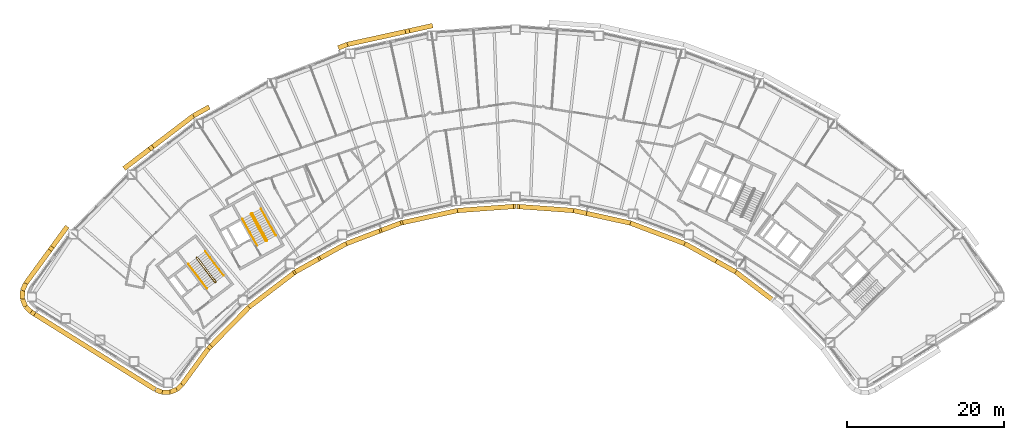
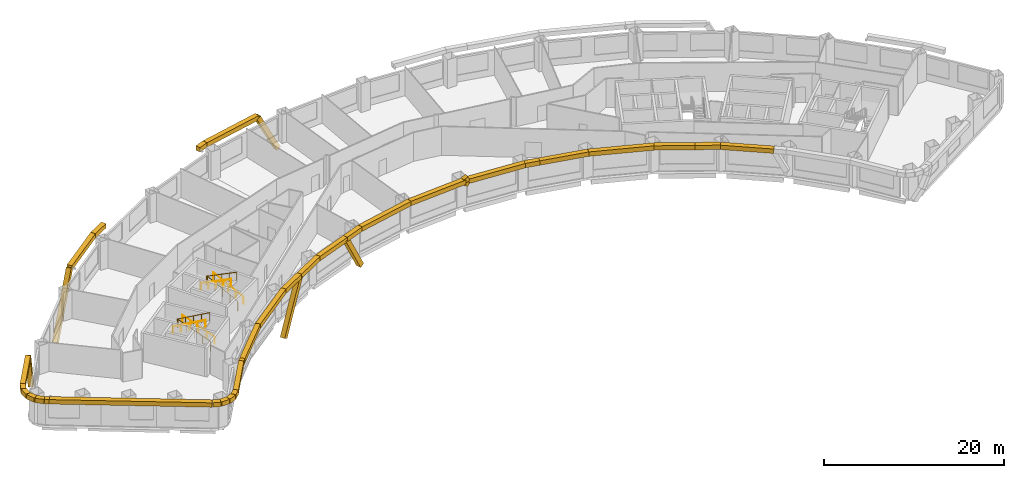
# One storey, part 13 of 15: 39 coverings, 6 railings.
"""IFC4 building model written with IfcOpenShell, lengths in metres."""

from ifc_helpers import new_model, si_unit, direction, frame, origin, origin_2d, place, context, subcontext, project, spatial, rectangle, circle, extrude, material, material_profile, profile_set, type_object, element, save


model = new_model("IFC4")

# Units and contexts
model_context = context("Model", 3, precision=1e-05, world=origin(), true_north=direction((0.0, 1.0)))
body_context = subcontext(model_context, "Body", "Model", "MODEL_VIEW")
ifc_project = project(units=[si_unit("LENGTHUNIT", "METRE"), si_unit("AREAUNIT", "SQUARE_METRE"), si_unit("VOLUMEUNIT", "CUBIC_METRE"), si_unit("PLANEANGLEUNIT", "RADIAN"), si_unit("MASSUNIT", "GRAM", prefix="KILO")], contexts=[model_context])

# Site, building, storey
site_placement = place(None, origin())
site = spatial("IfcSite", under=ifc_project, at=site_placement, CompositionType="ELEMENT")
building_placement = place(site_placement, origin())
building = spatial("IfcBuilding", under=site, at=building_placement, Name="Tuul Gate Civic Tower", CompositionType="ELEMENT")
storey_placement = place(building_placement, frame((0.0, 0.0, 78.0)))
storey = spatial("IfcBuildingStorey", under=building, at=storey_placement, Name="Level 17", CompositionType="ELEMENT", Elevation=78.0)

# Railings
ifc_material_1 = material(Name="Painted steel", Category="steel")
railing_type_1 = type_object("IfcRailingType", Name="Stair guard", PredefinedType="GUARDRAIL", material=ifc_material_1)
railing_1_placement = place(storey_placement, frame((-33.382080078125, -13.515380859375, 0.0)))
element("IfcRailing", 1, at=railing_1_placement, inside=storey, type_object=railing_type_1, Name="Level 17 ST-1 stair guard 1", PredefinedType="GUARDRAIL", context=body_context, shape_type="SweptSolid", body=[
    extrude(circle(Radius=0.02392578125, at=origin_2d()), frame((0.0, 0.0, 1.076171875), z_axis=(-0.795879841968, -0.605454603706, 0.0), x_axis=(0.605454603706, -0.795879841968, 0.0)), (0.0, 0.0, 1.0), 0.10009765625),
    extrude(circle(Radius=0.02392578125, at=origin_2d()), frame((-0.07958984375, -0.060546875, 1.076171875), z_axis=(0.408991890351, 0.599481263939, 0.688002796371), x_axis=(-0.826063974707, 0.563576356576, 0.0)), (0.0, 0.0, 1.0), 0.2177734375),
    extrude(circle(Radius=0.02392578125, at=origin_2d()), frame((0.009521484375, 0.070068359375, 1.22607421875), z_axis=(-0.541810893183, 0.711627203922, 0.44724454012), x_axis=(-0.795637165283, -0.60577347352, 0.0)), (0.0, 0.0, 1.0), 4.3603515625),
    extrude(circle(Radius=0.02392578125, at=origin_2d()), frame((-2.35302734375, 3.173095703125, 3.17626953125), z_axis=(-0.990893089246, 0.134650977284, 0.0), x_axis=(-0.134650977284, -0.990893089246, 0.0)), (0.0, 0.0, 1.0), 0.07080078125),
    extrude(circle(Radius=0.02392578125, at=origin_2d()), frame((-2.423095703125, 3.1826171875, 3.17626953125), z_axis=(-0.793802879778, -0.60817512943, 0.0), x_axis=(0.60817512943, -0.793802879778, 0.0)), (0.0, 0.0, 1.0), 0.099853515625),
    extrude(circle(Radius=0.02392578125, at=origin_2d()), frame((-2.50244140625, 3.121826171875, 3.17626953125), z_axis=(-0.057447065493, -0.422751481959, 0.904423031091), x_axis=(0.990893089246, -0.134650977284, 0.0)), (0.0, 0.0, 1.0), 0.165771484375),
    extrude(circle(Radius=0.02392578125, at=origin_2d()), frame((-2.511962890625, 3.0517578125, 3.326171875), z_axis=(0.541806494602, -0.71163897684, 0.447231136047), x_axis=(0.795644365679, 0.605764016233, 0.0)), (0.0, 0.0, 1.0), 4.360107421875),
    extrude(circle(Radius=0.02099609375, at=origin_2d()), origin(), (0.0, 0.0, 1.0), 1.052001953125),
    extrude(circle(Radius=0.02099609375, at=origin_2d()), frame((-0.07958984375, -0.060546875, 0.0)), (0.0, 0.0, 1.0), 1.052001953125),
    extrude(circle(Radius=0.02099609375, at=origin_2d()), frame((0.009521484375, 0.070068359375, 0.14990234375)), (0.0, 0.0, 1.0), 1.052001953125),
    extrude(circle(Radius=0.02099609375, at=origin_2d()), frame((-0.5810546875, 0.845703125, 0.637451171875)), (0.0, 0.0, 1.0), 1.052001953125),
    extrude(circle(Radius=0.02099609375, at=origin_2d()), frame((-1.171875, 1.62158203125, 1.125)), (0.0, 0.0, 1.0), 1.052001953125),
    extrude(circle(Radius=0.02099609375, at=origin_2d()), frame((-1.762451171875, 2.3974609375, 1.612548828125)), (0.0, 0.0, 1.0), 1.052001953125),
    extrude(circle(Radius=0.02099609375, at=origin_2d()), frame((-2.35302734375, 3.173095703125, 2.10009765625)), (0.0, 0.0, 1.0), 1.052001953125),
    extrude(circle(Radius=0.02099609375, at=origin_2d()), frame((-2.423095703125, 3.1826171875, 2.10009765625)), (0.0, 0.0, 1.0), 1.052001953125),
    extrude(circle(Radius=0.02099609375, at=origin_2d()), frame((-2.50244140625, 3.121826171875, 2.10009765625)), (0.0, 0.0, 1.0), 1.052001953125),
    extrude(circle(Radius=0.02099609375, at=origin_2d()), frame((-2.511962890625, 3.0517578125, 2.25)), (0.0, 0.0, 1.0), 1.052001953125),
    extrude(circle(Radius=0.02099609375, at=origin_2d()), frame((-1.92138671875, 2.276123046875, 2.737548828125)), (0.0, 0.0, 1.0), 1.052001953125),
    extrude(circle(Radius=0.02099609375, at=origin_2d()), frame((-1.330810546875, 1.50048828125, 3.22509765625)), (0.0, 0.0, 1.0), 1.052001953125),
    extrude(circle(Radius=0.02099609375, at=origin_2d()), frame((-0.740234375, 0.724609375, 3.71240234375)), (0.0, 0.0, 1.0), 1.052001953125),
    extrude(circle(Radius=0.02099609375, at=origin_2d()), frame((-0.149658203125, -0.051025390625, 4.199951171875)), (0.0, 0.0, 1.0), 1.052001953125),
])
railing_2_placement = place(storey_placement, frame((-26.857666015625, -8.247314453125, 0.0)))
element("IfcRailing", 2, at=railing_2_placement, inside=storey, type_object=railing_type_1, Name="Level 17 ST-2 stair guard 1", PredefinedType="GUARDRAIL", context=body_context, shape_type="SweptSolid", body=[
    extrude(circle(Radius=0.02392578125, at=origin_2d()), frame((0.0, 0.0, 1.076171875), z_axis=(-0.874616555828, -0.48481530532, 0.0), x_axis=(0.48481530532, -0.874616555828, 0.0)), (0.0, 0.0, 1.0), 0.10009765625),
    extrude(circle(Radius=0.02392578125, at=origin_2d()), frame((-0.087646484375, -0.048583984375, 1.076171875), z_axis=(0.49081399482, 0.534516610797, 0.688036056665), x_axis=(-0.736576986774, 0.676353711126, 0.0)), (0.0, 0.0, 1.0), 0.2177734375),
    extrude(circle(Radius=0.02392578125, at=origin_2d()), frame((0.019287109375, 0.06787109375, 1.22607421875), z_axis=(-0.433539057192, 0.782307594871, 0.447256875739), x_axis=(-0.874667644053, -0.484723129681, 0.0)), (0.0, 0.0, 1.0), 4.3603515625),
    extrude(circle(Radius=0.02392578125, at=origin_2d()), frame((-1.87109375, 3.47900390625, 3.17626953125), z_axis=(-0.961263487578, 0.275631107549, 0.0), x_axis=(-0.275631107549, -0.961263487578, 0.0)), (0.0, 0.0, 1.0), 0.07080078125),
    extrude(circle(Radius=0.02392578125, at=origin_2d()), frame((-1.939208984375, 3.49853515625, 3.17626953125), z_axis=(-0.874042088414, -0.485850211157, 0.0), x_axis=(0.485850211157, -0.874042088414, 0.0)), (0.0, 0.0, 1.0), 0.10009765625),
    extrude(circle(Radius=0.02392578125, at=origin_2d()), frame((-2.026611328125, 3.449951171875, 3.17626953125), z_axis=(-0.117866478395, -0.409586012422, 0.90462522168), x_axis=(0.961000426733, -0.276546885391, 0.0)), (0.0, 0.0, 1.0), 0.165771484375),
    extrude(circle(Radius=0.02392578125, at=origin_2d()), frame((-2.046142578125, 3.382080078125, 3.326171875), z_axis=(0.433595379963, -0.782308193291, 0.447201226726), x_axis=(0.874641102302, 0.484771020343, 0.0)), (0.0, 0.0, 1.0), 4.3603515625),
    extrude(circle(Radius=0.02099609375, at=origin_2d()), origin(), (0.0, 0.0, 1.0), 1.052001953125),
    extrude(circle(Radius=0.02099609375, at=origin_2d()), frame((-0.087646484375, -0.048583984375, 0.0)), (0.0, 0.0, 1.0), 1.052001953125),
    extrude(circle(Radius=0.02099609375, at=origin_2d()), frame((0.019287109375, 0.06787109375, 0.14990234375)), (0.0, 0.0, 1.0), 1.052001953125),
    extrude(circle(Radius=0.02099609375, at=origin_2d()), frame((-0.453369140625, 0.920654296875, 0.637451171875)), (0.0, 0.0, 1.0), 1.052001953125),
    extrude(circle(Radius=0.02099609375, at=origin_2d()), frame((-0.92578125, 1.7734375, 1.125)), (0.0, 0.0, 1.0), 1.052001953125),
    extrude(circle(Radius=0.02099609375, at=origin_2d()), frame((-1.3984375, 2.626220703125, 1.612548828125)), (0.0, 0.0, 1.0), 1.052001953125),
    extrude(circle(Radius=0.02099609375, at=origin_2d()), frame((-1.87109375, 3.47900390625, 2.10009765625)), (0.0, 0.0, 1.0), 1.052001953125),
    extrude(circle(Radius=0.02099609375, at=origin_2d()), frame((-1.939208984375, 3.49853515625, 2.10009765625)), (0.0, 0.0, 1.0), 1.052001953125),
    extrude(circle(Radius=0.02099609375, at=origin_2d()), frame((-2.026611328125, 3.449951171875, 2.10009765625)), (0.0, 0.0, 1.0), 1.052001953125),
    extrude(circle(Radius=0.02099609375, at=origin_2d()), frame((-2.046142578125, 3.382080078125, 2.25)), (0.0, 0.0, 1.0), 1.052001953125),
    extrude(circle(Radius=0.02099609375, at=origin_2d()), frame((-1.573486328125, 2.529296875, 2.737548828125)), (0.0, 0.0, 1.0), 1.052001953125),
    extrude(circle(Radius=0.02099609375, at=origin_2d()), frame((-1.100830078125, 1.676513671875, 3.22509765625)), (0.0, 0.0, 1.0), 1.052001953125),
    extrude(circle(Radius=0.02099609375, at=origin_2d()), frame((-0.628173828125, 0.82373046875, 3.71240234375)), (0.0, 0.0, 1.0), 1.052001953125),
    extrude(circle(Radius=0.02099609375, at=origin_2d()), frame((-0.155517578125, -0.029052734375, 4.199951171875)), (0.0, 0.0, 1.0), 1.052001953125),
])
ifc_material_2 = material(Name="Painted steel", Category="steel")
railing_type_2 = type_object("IfcRailingType", Name="Stair handrail", PredefinedType="HANDRAIL", material=ifc_material_2)
railing_3_placement = place(storey_placement, frame((-32.3779296875, -12.688232421875, 0.14990234375)))
element("IfcRailing", 3, at=railing_3_placement, inside=storey, type_object=railing_type_2, Name="Level 17 ST-1 stair handrail 1", PredefinedType="HANDRAIL", context=body_context, shape_type="SweptSolid", body=[
    extrude(circle(Radius=0.02392578125, at=origin_2d()), frame((0.0, 0.0, 0.8759765625), z_axis=(-0.541810893183, 0.711627203922, 0.44724454012), x_axis=(-0.795637165283, -0.60577347352, 0.0)), (0.0, 0.0, 1.0), 4.3603515625),
    extrude(circle(Radius=0.02099609375, at=origin_2d()), origin(), (0.0, 0.0, 1.0), 0.851806640625),
    extrude(circle(Radius=0.02099609375, at=origin_2d()), frame((-0.590576171875, 0.77587890625, 0.487548828125)), (0.0, 0.0, 1.0), 0.851806640625),
    extrude(circle(Radius=0.02099609375, at=origin_2d()), frame((-1.18115234375, 1.551513671875, 0.97509765625)), (0.0, 0.0, 1.0), 0.851806640625),
    extrude(circle(Radius=0.02099609375, at=origin_2d()), frame((-1.77197265625, 2.3271484375, 1.462646484375)), (0.0, 0.0, 1.0), 0.851806640625),
    extrude(circle(Radius=0.02099609375, at=origin_2d()), frame((-2.362548828125, 3.10302734375, 1.9501953125)), (0.0, 0.0, 1.0), 0.851806640625),
])
railing_4_placement = place(storey_placement, frame((-36.888671875, -11.220703125, 2.25)))
element("IfcRailing", 4, at=railing_4_placement, inside=storey, type_object=railing_type_2, Name="Level 17 ST-1 stair handrail 2", PredefinedType="HANDRAIL", context=body_context, shape_type="SweptSolid", body=[
    extrude(circle(Radius=0.02392578125, at=origin_2d()), frame((0.0, 0.0, 0.8759765625), z_axis=(0.541824460341, -0.711645023348, 0.447199748346), x_axis=(0.795637165283, 0.60577347352, 0.0)), (0.0, 0.0, 1.0), 4.3603515625),
    extrude(circle(Radius=0.02099609375, at=origin_2d()), origin(), (0.0, 0.0, 1.0), 0.851806640625),
    extrude(circle(Radius=0.02099609375, at=origin_2d()), frame((0.590576171875, -0.77587890625, 0.487548828125)), (0.0, 0.0, 1.0), 0.851806640625),
    extrude(circle(Radius=0.02099609375, at=origin_2d()), frame((1.18115234375, -1.551513671875, 0.97509765625)), (0.0, 0.0, 1.0), 0.851806640625),
    extrude(circle(Radius=0.02099609375, at=origin_2d()), frame((1.77197265625, -2.3271484375, 1.46240234375)), (0.0, 0.0, 1.0), 0.851806640625),
    extrude(circle(Radius=0.02099609375, at=origin_2d()), frame((2.362548828125, -3.10302734375, 1.949951171875)), (0.0, 0.0, 1.0), 0.851806640625),
])
railing_5_placement = place(storey_placement, frame((-25.744873046875, -7.573486328125, 0.14990234375)))
element("IfcRailing", 5, at=railing_5_placement, inside=storey, type_object=railing_type_2, Name="Level 17 ST-2 stair handrail 1", PredefinedType="HANDRAIL", context=body_context, shape_type="SweptSolid", body=[
    extrude(circle(Radius=0.02392578125, at=origin_2d()), frame((0.0, 0.0, 0.8759765625), z_axis=(-0.433584522764, 0.782288604346, 0.447246018574), x_axis=(-0.874641102302, -0.484771020343, 0.0)), (0.0, 0.0, 1.0), 4.3603515625),
    extrude(circle(Radius=0.02099609375, at=origin_2d()), origin(), (0.0, 0.0, 1.0), 0.851806640625),
    extrude(circle(Radius=0.02099609375, at=origin_2d()), frame((-0.47265625, 0.852783203125, 0.487548828125)), (0.0, 0.0, 1.0), 0.851806640625),
    extrude(circle(Radius=0.02099609375, at=origin_2d()), frame((-0.9453125, 1.70556640625, 0.97509765625)), (0.0, 0.0, 1.0), 0.851806640625),
    extrude(circle(Radius=0.02099609375, at=origin_2d()), frame((-1.41796875, 2.558349609375, 1.462646484375)), (0.0, 0.0, 1.0), 0.851806640625),
    extrude(circle(Radius=0.02099609375, at=origin_2d()), frame((-1.890625, 3.4111328125, 1.9501953125)), (0.0, 0.0, 1.0), 0.851806640625),
])
railing_6_placement = place(storey_placement, frame((-29.9970703125, -5.47119140625, 2.25)))
element("IfcRailing", 6, at=railing_6_placement, inside=storey, type_object=railing_type_2, Name="Level 17 ST-2 stair handrail 2", PredefinedType="HANDRAIL", context=body_context, shape_type="SweptSolid", body=[
    extrude(circle(Radius=0.02392578125, at=origin_2d()), frame((0.0, 0.0, 0.8759765625), z_axis=(0.433595379963, -0.782308193291, 0.447201226726), x_axis=(0.874641102302, 0.484771020343, 0.0)), (0.0, 0.0, 1.0), 4.3603515625),
    extrude(circle(Radius=0.02099609375, at=origin_2d()), origin(), (0.0, 0.0, 1.0), 0.851806640625),
    extrude(circle(Radius=0.02099609375, at=origin_2d()), frame((0.47265625, -0.852783203125, 0.487548828125)), (0.0, 0.0, 1.0), 0.851806640625),
    extrude(circle(Radius=0.02099609375, at=origin_2d()), frame((0.9453125, -1.70556640625, 0.97509765625)), (0.0, 0.0, 1.0), 0.851806640625),
    extrude(circle(Radius=0.02099609375, at=origin_2d()), frame((1.41796875, -2.558349609375, 1.46240234375)), (0.0, 0.0, 1.0), 0.851806640625),
    extrude(circle(Radius=0.02099609375, at=origin_2d()), frame((1.890625, -3.4111328125, 1.949951171875)), (0.0, 0.0, 1.0), 0.851806640625),
])

# Coverings
ifc_material_3 = material(Name="Terracotta baguette", Category="masonry")
ifc_material_profile = material_profile(ifc_material_3, rectangle(XDim=0.60009765625, YDim=0.60009765625, at=origin_2d()), Name="Terracotta baguette screen frame")
ifc_profile_set = profile_set([ifc_material_profile], Name="Terracotta baguette")
covering_type = type_object("IfcCoveringType", Name="Terracotta baguette screen frame", PredefinedType="CLADDING", material=ifc_profile_set)
covering_1_placement = place(storey_placement, frame((-6.014404296875, 19.126220703125, -1.75439453125), z_axis=(-0.464021709563, -0.102264160013, 0.879901070934), x_axis=(0.21522186499, -0.976565178997, 0.0)))
element("IfcCovering", 7, at=covering_1_placement, inside=storey, type_object=covering_type, Name="Baguette 82", PredefinedType="CLADDING", context=body_context, shape_type="SweptSolid", body=[
    extrude(rectangle(XDim=0.60009765625, YDim=0.60009765625, at=origin_2d()), origin(), (0.0, 0.0, 1.0), 6.369384765625),
])
covering_2_placement = place(storey_placement, frame((-8.969970703125, 18.474853515625, 3.85009765625), z_axis=(-0.976565835511, -0.21521888605, 0.0), x_axis=(0.21521888605, -0.976565835511, 0.0)))
element("IfcCovering", 8, at=covering_2_placement, inside=storey, type_object=covering_type, Name="Baguette 89", PredefinedType="CLADDING", context=body_context, shape_type="SweptSolid", body=[
    extrude(rectangle(XDim=0.60009765625, YDim=0.60009765625, at=origin_2d()), origin(), (0.0, 0.0, 1.0), 7.824951171875),
])
covering_3_placement = place(storey_placement, frame((-16.611572265625, 16.790771484375, 3.85009765625), z_axis=(-0.935303764022, -0.353845826606, 0.0), x_axis=(0.353845826606, -0.935303764022, 0.0)))
element("IfcCovering", 9, at=covering_3_placement, inside=storey, type_object=covering_type, Name="Baguette 90", PredefinedType="CLADDING", context=body_context, shape_type="SweptSolid", body=[
    extrude(rectangle(XDim=0.60009765625, YDim=0.60009765625, at=origin_2d()), origin(), (0.0, 0.0, 1.0), 1.24755859375),
])
covering_4_placement = place(storey_placement, frame((-34.2314453125, 8.8115234375, 3.85009765625), z_axis=(-0.874665229459, -0.484727486714, 0.0), x_axis=(0.484727486714, -0.874665229459, 0.0)))
element("IfcCovering", 10, at=covering_4_placement, inside=storey, type_object=covering_type, Name="Baguette 107", PredefinedType="CLADDING", context=body_context, shape_type="SweptSolid", body=[
    extrude(rectangle(XDim=0.60009765625, YDim=0.60009765625, at=origin_2d()), origin(), (0.0, 0.0, 1.0), 2.310302734375),
])
covering_5_placement = place(storey_placement, frame((-36.252197265625, 7.691650390625, 3.85009765625), z_axis=(-0.795611536996, -0.60580713284, 0.0), x_axis=(0.60580713284, -0.795611536996, 0.0)))
element("IfcCovering", 11, at=covering_5_placement, inside=storey, type_object=covering_type, Name="Baguette 108", PredefinedType="CLADDING", context=body_context, shape_type="SweptSolid", body=[
    extrude(rectangle(XDim=0.60009765625, YDim=0.60009765625, at=origin_2d()), origin(), (0.0, 0.0, 1.0), 6.761962890625),
])
covering_6_placement = place(storey_placement, frame((-41.632080078125, 3.59521484375, 3.85009765625), z_axis=(-0.378037126503, -0.28785402391, -0.8799022627), x_axis=(0.605811142547, -0.795608483845, 0.0)))
element("IfcCovering", 12, at=covering_6_placement, inside=storey, type_object=covering_type, Name="Baguette 111", PredefinedType="CLADDING", context=body_context, shape_type="SweptSolid", body=[
    extrude(rectangle(XDim=0.60009765625, YDim=0.60009765625, at=origin_2d()), origin(), (0.0, 0.0, 1.0), 8.606201171875),
])
covering_7_placement = place(storey_placement, frame((-52.481689453125, -6.630859375, -2.08447265625), z_axis=(-0.281331502522, -0.38524446207, 0.878885254247), x_axis=(0.807584108669, -0.589752411971, 0.0)))
element("IfcCovering", 13, at=covering_7_placement, inside=storey, type_object=covering_type, Name="Baguette 124", PredefinedType="CLADDING", context=body_context, shape_type="SweptSolid", body=[
    extrude(rectangle(XDim=0.60009765625, YDim=0.60009765625, at=origin_2d()), origin(), (0.0, 0.0, 1.0), 6.75244140625),
])
covering_8_placement = place(storey_placement, frame((-54.38134765625, -9.232177734375, 3.85009765625), z_axis=(-0.589750135482, -0.80758577111, 0.0), x_axis=(0.80758577111, -0.589750135482, 0.0)))
element("IfcCovering", 14, at=covering_8_placement, inside=storey, type_object=covering_type, Name="Baguette 135", PredefinedType="CLADDING", context=body_context, shape_type="SweptSolid", body=[
    extrude(rectangle(XDim=0.60009765625, YDim=0.60009765625, at=origin_2d()), origin(), (0.0, 0.0, 1.0), 5.51416015625),
])
covering_9_placement = place(storey_placement, frame((-57.63330078125, -13.685302734375, 3.85009765625), z_axis=(-0.412348754484, -0.911026072445, 0.0), x_axis=(0.911026072445, -0.412348754484, 0.0)))
element("IfcCovering", 15, at=covering_9_placement, inside=storey, type_object=covering_type, Name="Baguette 136", PredefinedType="CLADDING", context=body_context, shape_type="SweptSolid", body=[
    extrude(rectangle(XDim=0.60009765625, YDim=0.60009765625, at=origin_2d()), origin(), (0.0, 0.0, 1.0), 0.987060546875),
])
for number, where, z_axis, x_axis, name in (
    (16, (-58.040283203125, -14.58447265625, 3.85009765625), (-0.016005267214, -0.999871907507, 0.0), (0.999871907507, -0.016005267214, 0.0), "Baguette 137"),
    (17, (-58.057373046875, -15.652099609375, 3.85009765625), (0.386870941786, -0.922133870109, 0.0), (0.922133870109, 0.386870941786, 0.0), "Baguette 138"),
):
    element("IfcCovering", number, at=place(storey_placement, frame(where, z_axis=z_axis, x_axis=x_axis)), inside=storey, type_object=covering_type, Name=name, PredefinedType="CLADDING", context=body_context, shape_type="SweptSolid", body=[
        extrude(rectangle(XDim=0.60009765625, YDim=0.60009765625, at=origin_2d()), origin(), (0.0, 0.0, 1.0), 1.06787109375),
    ])
covering_10_placement = place(storey_placement, frame((-57.644287109375, -16.63671875, 3.85009765625), z_axis=(0.72214250975, -0.691744313755, 0.0), x_axis=(0.691744313755, 0.72214250975, 0.0)))
element("IfcCovering", 18, at=covering_10_placement, inside=storey, type_object=covering_type, Name="Baguette 139", PredefinedType="CLADDING", context=body_context, shape_type="SweptSolid", body=[
    extrude(rectangle(XDim=0.60009765625, YDim=0.60009765625, at=origin_2d()), origin(), (0.0, 0.0, 1.0), 0.98779296875),
])
covering_11_placement = place(storey_placement, frame((-56.930908203125, -17.320068359375, 3.85009765625), z_axis=(0.848075017606, -0.529876178472, 0.0), x_axis=(0.529876178472, 0.848075017606, 0.0)))
element("IfcCovering", 19, at=covering_11_placement, inside=storey, type_object=covering_type, Name="Baguette 140", PredefinedType="CLADDING", context=body_context, shape_type="SweptSolid", body=[
    extrude(rectangle(XDim=0.60009765625, YDim=0.60009765625, at=origin_2d()), origin(), (0.0, 0.0, 1.0), 0.536376953125),
])
covering_12_placement = place(storey_placement, frame((-41.07568359375, -27.227294921875, 3.85009765625), z_axis=(0.931801188997, -0.362969067807, 0.0), x_axis=(0.362969067807, 0.931801188997, 0.0)))
element("IfcCovering", 20, at=covering_12_placement, inside=storey, type_object=covering_type, Name="Baguette 165", PredefinedType="CLADDING", context=body_context, shape_type="SweptSolid", body=[
    extrude(rectangle(XDim=0.60009765625, YDim=0.60009765625, at=origin_2d()), origin(), (0.0, 0.0, 1.0), 0.9013671875),
])
covering_13_placement = place(storey_placement, frame((-40.23583984375, -27.554443359375, 3.85009765625), z_axis=(0.999995475178, 0.003008259138, 0.0), x_axis=(-0.003008259138, 0.999995475178, 0.0)))
element("IfcCovering", 21, at=covering_13_placement, inside=storey, type_object=covering_type, Name="Baguette 166", PredefinedType="CLADDING", context=body_context, shape_type="SweptSolid", body=[
    extrude(rectangle(XDim=0.60009765625, YDim=0.60009765625, at=origin_2d()), origin(), (0.0, 0.0, 1.0), 0.973876953125),
])
covering_14_placement = place(storey_placement, frame((-39.261962890625, -27.551513671875, 3.85009765625), z_axis=(0.929012088732, 0.370049373719, 0.0), x_axis=(-0.370049373719, 0.929012088732, 0.0)))
element("IfcCovering", 22, at=covering_14_placement, inside=storey, type_object=covering_type, Name="Baguette 167", PredefinedType="CLADDING", context=body_context, shape_type="SweptSolid", body=[
    extrude(rectangle(XDim=0.60009765625, YDim=0.60009765625, at=origin_2d()), origin(), (0.0, 0.0, 1.0), 0.97314453125),
])
covering_15_placement = place(storey_placement, frame((-38.35791015625, -27.19140625, 3.85009765625), z_axis=(0.729883388516, 0.68357167815, 0.0), x_axis=(-0.68357167815, 0.729883388516, 0.0)))
element("IfcCovering", 23, at=covering_15_placement, inside=storey, type_object=covering_type, Name="Baguette 168", PredefinedType="CLADDING", context=body_context, shape_type="SweptSolid", body=[
    extrude(rectangle(XDim=0.60009765625, YDim=0.60009765625, at=origin_2d()), origin(), (0.0, 0.0, 1.0), 0.9013671875),
])
covering_16_placement = place(storey_placement, frame((-37.699951171875, -26.5751953125, 3.85009765625), z_axis=(0.589729447422, 0.807600878432, 0.0), x_axis=(-0.807600878432, 0.589729447422, 0.0)))
element("IfcCovering", 24, at=covering_16_placement, inside=storey, type_object=covering_type, Name="Baguette 169", PredefinedType="CLADDING", context=body_context, shape_type="SweptSolid", body=[
    extrude(rectangle(XDim=0.60009765625, YDim=0.60009765625, at=origin_2d()), origin(), (0.0, 0.0, 1.0), 5.671142578125),
])
covering_17_placement = place(storey_placement, frame((-34.35546875, -21.9951171875, 3.85009765625), z_axis=(0.700372885363, 0.713777151111, 0.0), x_axis=(-0.713777151111, 0.700372885363, 0.0)))
element("IfcCovering", 25, at=covering_17_placement, inside=storey, type_object=covering_type, Name="Baguette 170", PredefinedType="CLADDING", context=body_context, shape_type="SweptSolid", body=[
    extrude(rectangle(XDim=0.60009765625, YDim=0.60009765625, at=origin_2d()), origin(), (0.0, 0.0, 1.0), 0.510009765625),
])
covering_18_placement = place(storey_placement, frame((-23.260986328125, -12.20458984375, -2.56201171875), z_axis=(0.407721193209, 0.225991530506, 0.884698398748), x_axis=(-0.48478990003, 0.874630637943, 0.0)))
element("IfcCovering", 26, at=covering_18_placement, inside=storey, type_object=covering_type, Name="Baguette 189", PredefinedType="CLADDING", context=body_context, shape_type="SweptSolid", body=[
    extrude(rectangle(XDim=0.60009765625, YDim=0.60009765625, at=origin_2d()), origin(), (0.0, 0.0, 1.0), 7.247802734375),
])
covering_19_placement = place(storey_placement, frame((-20.305908203125, -10.566650390625, 3.85009765625), z_axis=(0.874630119213, 0.484790835893, 0.0), x_axis=(-0.484790835893, 0.874630119213, 0.0)))
element("IfcCovering", 27, at=covering_19_placement, inside=storey, type_object=covering_type, Name="Baguette 196", PredefinedType="CLADDING", context=body_context, shape_type="SweptSolid", body=[
    extrude(rectangle(XDim=0.60009765625, YDim=0.60009765625, at=origin_2d()), origin(), (0.0, 0.0, 1.0), 4.039306640625),
])
covering_20_placement = place(storey_placement, frame((-16.77294921875, -8.6083984375, 3.85009765625), z_axis=(0.935356130201, 0.353707378628, 0.0), x_axis=(-0.353707378628, 0.935356130201, 0.0)))
element("IfcCovering", 28, at=covering_20_placement, inside=storey, type_object=covering_type, Name="Baguette 197", PredefinedType="CLADDING", context=body_context, shape_type="SweptSolid", body=[
    extrude(rectangle(XDim=0.60009765625, YDim=0.60009765625, at=origin_2d()), origin(), (0.0, 0.0, 1.0), 4.812255859375),
])
covering_21_placement = place(storey_placement, frame((-12.271728515625, -6.90625, 3.85009765625), z_axis=(0.436036183955, 0.164883962179, -0.884695272565), x_axis=(-0.353699371155, 0.935359158209, 0.0)))
element("IfcCovering", 29, at=covering_21_placement, inside=storey, type_object=covering_type, Name="Baguette 200", PredefinedType="CLADDING", context=body_context, shape_type="SweptSolid", body=[
    extrude(rectangle(XDim=0.60009765625, YDim=0.60009765625, at=origin_2d()), origin(), (0.0, 0.0, 1.0), 5.589599609375),
])
covering_22_placement = place(storey_placement, frame((4.80810546875, -3.85205078125, 3.351806640625), z_axis=(0.464736264452, -0.033381242876, 0.884819697525), x_axis=(0.071643779634, 0.997430282696, 0.0)))
element("IfcCovering", 30, at=covering_22_placement, inside=storey, type_object=covering_type, Name="Baguette 215", PredefinedType="CLADDING", context=body_context, shape_type="SweptSolid", body=[
    extrude(rectangle(XDim=0.60009765625, YDim=0.60009765625, at=origin_2d()), origin(), (0.0, 0.0, 1.0), 0.563232421875),
])
covering_23_placement = place(storey_placement, frame((4.80810546875, -3.85205078125, 4.34814453125), z_axis=(0.464914591257, -0.033394051797, -0.884725528139), x_axis=(0.071643779634, 0.997430282696, 0.0)))
element("IfcCovering", 31, at=covering_23_placement, inside=storey, type_object=covering_type, Name="Baguette 217", PredefinedType="CLADDING", context=body_context, shape_type="SweptSolid", body=[
    extrude(rectangle(XDim=0.60009765625, YDim=0.60009765625, at=origin_2d()), origin(), (0.0, 0.0, 1.0), 0.56298828125),
])
covering_24_placement = place(storey_placement, frame((5.06982421875, -3.870849609375, 3.85009765625), z_axis=(0.997382977764, -0.072299347629, 0.0), x_axis=(0.072299347629, 0.997382977764, 0.0)))
element("IfcCovering", 32, at=covering_24_placement, inside=storey, type_object=covering_type, Name="Baguette 222", PredefinedType="CLADDING", context=body_context, shape_type="SweptSolid", body=[
    extrude(rectangle(XDim=0.60009765625, YDim=0.60009765625, at=origin_2d()), origin(), (0.0, 0.0, 1.0), 7.155517578125),
])
covering_25_placement = place(storey_placement, frame((12.20654296875, -4.38818359375, 3.85009765625), z_axis=(0.976551365634, -0.215284533302, 0.0), x_axis=(0.215284533302, 0.976551365634, 0.0)))
element("IfcCovering", 33, at=covering_25_placement, inside=storey, type_object=covering_type, Name="Baguette 223", PredefinedType="CLADDING", context=body_context, shape_type="SweptSolid", body=[
    extrude(rectangle(XDim=0.60009765625, YDim=0.60009765625, at=origin_2d()), origin(), (0.0, 0.0, 1.0), 1.696533203125),
])
covering_26_placement = place(storey_placement, frame((30.381103515625, -10.8212890625, 3.85009765625), z_axis=(0.874645152561, -0.484763712649, 0.0), x_axis=(0.484763712649, 0.874645152561, 0.0)))
element("IfcCovering", 34, at=covering_26_placement, inside=storey, type_object=covering_type, Name="Baguette 242", PredefinedType="CLADDING", context=body_context, shape_type="SweptSolid", body=[
    extrude(rectangle(XDim=0.60009765625, YDim=0.60009765625, at=origin_2d()), origin(), (0.0, 0.0, 1.0), 2.853515625),
])
covering_27_placement = place(storey_placement, frame((32.876953125, -12.20458984375, 3.85009765625), z_axis=(0.79556810709, -0.605864165454, 0.0), x_axis=(0.605864165454, 0.79556810709, 0.0)))
element("IfcCovering", 35, at=covering_27_placement, inside=storey, type_object=covering_type, Name="Baguette 243", PredefinedType="CLADDING", context=body_context, shape_type="SweptSolid", body=[
    extrude(rectangle(XDim=0.60009765625, YDim=0.60009765625, at=origin_2d()), origin(), (0.0, 0.0, 1.0), 5.99853515625),
])
covering_28_placement = place(storey_placement, frame((-56.47607421875, -17.604248046875, 3.85009765625), z_axis=(0.848051326016, -0.529914095342, 0.0), x_axis=(0.529914095342, 0.848051326016, 0.0)))
element("IfcCovering", 36, at=covering_28_placement, inside=storey, type_object=covering_type, Name="Baguette 318", PredefinedType="CLADDING", context=body_context, shape_type="SweptSolid", body=[
    extrude(rectangle(XDim=0.60009765625, YDim=0.60009765625, at=origin_2d()), origin(), (0.0, 0.0, 1.0), 18.106201171875),
])
covering_29_placement = place(storey_placement, frame((-33.998291015625, -21.631103515625, 3.85009765625), z_axis=(0.700091906079, 0.71405274528, 0.0), x_axis=(-0.71405274528, 0.700091906079, 0.0)))
element("IfcCovering", 37, at=covering_29_placement, inside=storey, type_object=covering_type, Name="Baguette 333", PredefinedType="CLADDING", context=body_context, shape_type="SweptSolid", body=[
    extrude(rectangle(XDim=0.60009765625, YDim=0.60009765625, at=origin_2d()), origin(), (0.0, 0.0, 1.0), 6.907470703125),
])
covering_30_placement = place(storey_placement, frame((-29.162353515625, -16.69873046875, 3.85009765625), z_axis=(0.795570717168, 0.605860738111, 0.0), x_axis=(-0.605860738111, 0.795570717168, 0.0)))
element("IfcCovering", 38, at=covering_30_placement, inside=storey, type_object=covering_type, Name="Baguette 334", PredefinedType="CLADDING", context=body_context, shape_type="SweptSolid", body=[
    extrude(rectangle(XDim=0.60009765625, YDim=0.60009765625, at=origin_2d()), origin(), (0.0, 0.0, 1.0), 7.417724609375),
])
covering_31_placement = place(storey_placement, frame((-23.260986328125, -12.20458984375, 3.85009765625), z_axis=(0.874630637943, 0.48478990003, 0.0), x_axis=(-0.48478990003, 0.874630637943, 0.0)))
element("IfcCovering", 39, at=covering_31_placement, inside=storey, type_object=covering_type, Name="Baguette 335", PredefinedType="CLADDING", context=body_context, shape_type="SweptSolid", body=[
    extrude(rectangle(XDim=0.60009765625, YDim=0.60009765625, at=origin_2d()), origin(), (0.0, 0.0, 1.0), 3.378662109375),
])
covering_32_placement = place(storey_placement, frame((-12.271728515625, -6.90625, 3.85009765625), z_axis=(0.935359158209, 0.353699371155, 0.0), x_axis=(-0.353699371155, 0.935359158209, 0.0)))
element("IfcCovering", 40, at=covering_32_placement, inside=storey, type_object=covering_type, Name="Baguette 344", PredefinedType="CLADDING", context=body_context, shape_type="SweptSolid", body=[
    extrude(rectangle(XDim=0.60009765625, YDim=0.60009765625, at=origin_2d()), origin(), (0.0, 0.0, 1.0), 2.605712890625),
])
covering_33_placement = place(storey_placement, frame((-9.83447265625, -5.984619140625, 3.85009765625), z_axis=(0.976565804128, 0.215219028452, 0.0), x_axis=(-0.215219028452, 0.976565804128, 0.0)))
element("IfcCovering", 41, at=covering_33_placement, inside=storey, type_object=covering_type, Name="Baguette 345", PredefinedType="CLADDING", context=body_context, shape_type="SweptSolid", body=[
    extrude(rectangle(XDim=0.60009765625, YDim=0.60009765625, at=origin_2d()), origin(), (0.0, 0.0, 1.0), 7.417724609375),
])
covering_34_placement = place(storey_placement, frame((-2.590576171875, -4.38818359375, 3.85009765625), z_axis=(0.997384830366, 0.072273786091, 0.0), x_axis=(-0.072273786091, 0.997384830366, 0.0)))
element("IfcCovering", 42, at=covering_34_placement, inside=storey, type_object=covering_type, Name="Baguette 346", PredefinedType="CLADDING", context=body_context, shape_type="SweptSolid", body=[
    extrude(rectangle(XDim=0.60009765625, YDim=0.60009765625, at=origin_2d()), origin(), (0.0, 0.0, 1.0), 7.41796875),
])
covering_35_placement = place(storey_placement, frame((13.86328125, -4.75341796875, 3.85009765625), z_axis=(0.976570084756, -0.215199603995, 0.0), x_axis=(0.215199603995, 0.976570084756, 0.0)))
element("IfcCovering", 43, at=covering_35_placement, inside=storey, type_object=covering_type, Name="Baguette 348", PredefinedType="CLADDING", context=body_context, shape_type="SweptSolid", body=[
    extrude(rectangle(XDim=0.60009765625, YDim=0.60009765625, at=origin_2d()), origin(), (0.0, 0.0, 1.0), 5.72119140625),
])
covering_36_placement = place(storey_placement, frame((19.450439453125, -5.984619140625, 3.85009765625), z_axis=(0.935357193845, -0.353704565878, 0.0), x_axis=(0.353704565878, 0.935357193845, 0.0)))
element("IfcCovering", 44, at=covering_36_placement, inside=storey, type_object=covering_type, Name="Baguette 349", PredefinedType="CLADDING", context=body_context, shape_type="SweptSolid", body=[
    extrude(rectangle(XDim=0.60009765625, YDim=0.60009765625, at=origin_2d()), origin(), (0.0, 0.0, 1.0), 7.41796875),
])
covering_37_placement = place(storey_placement, frame((26.388916015625, -8.6083984375, 3.85009765625), z_axis=(0.874621104425, -0.484807099468, 0.0), x_axis=(0.484807099468, 0.874621104425, 0.0)))
element("IfcCovering", 45, at=covering_37_placement, inside=storey, type_object=covering_type, Name="Baguette 350", PredefinedType="CLADDING", context=body_context, shape_type="SweptSolid", body=[
    extrude(rectangle(XDim=0.60009765625, YDim=0.60009765625, at=origin_2d()), origin(), (0.0, 0.0, 1.0), 4.564453125),
])

save(model, "model.ifc")
